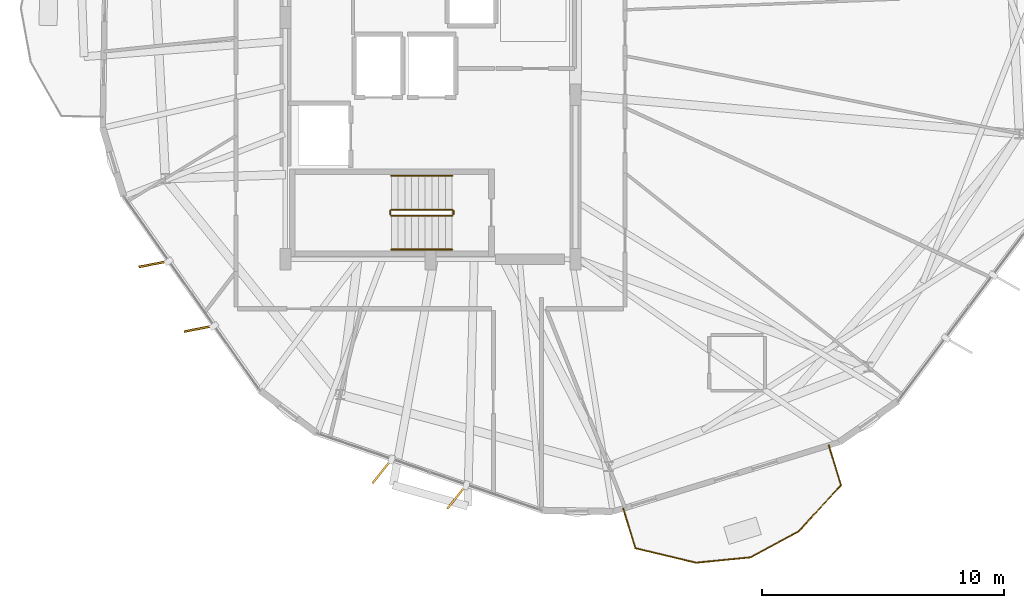
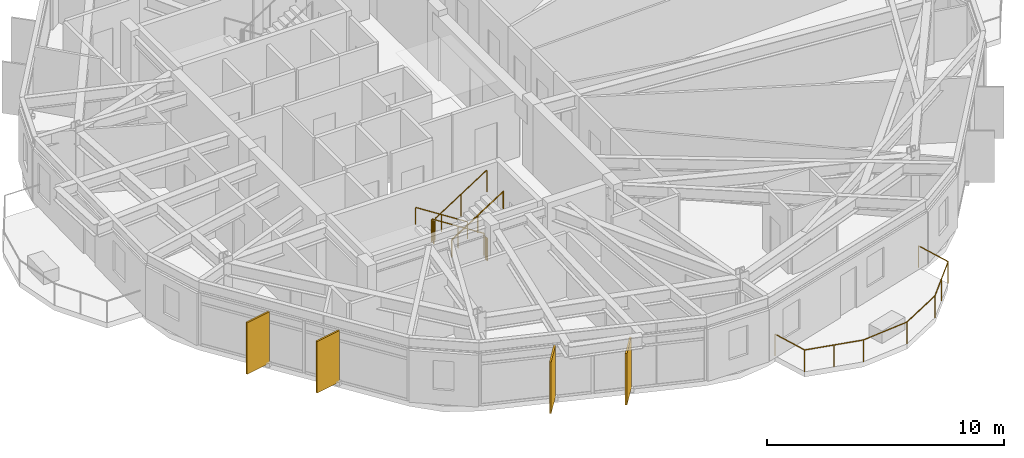
# One storey, part 27 of 29: 7 railings, 4 shading devices.
"""IFC4 building model written with IfcOpenShell, lengths in metres."""

from ifc_helpers import new_model, si_unit, direction, frame, origin, origin_2d, place, context, subcontext, project, spatial, rectangle, circle, extrude, material, layer, layer_set, type_object, element, save


model = new_model("IFC4")

# Units and contexts
model_context = context("Model", 3, precision=1e-05, world=origin(), true_north=direction((0.0, 1.0)))
body_context = subcontext(model_context, "Body", "Model", "MODEL_VIEW")
ifc_project = project(units=[si_unit("LENGTHUNIT", "METRE"), si_unit("AREAUNIT", "SQUARE_METRE"), si_unit("VOLUMEUNIT", "CUBIC_METRE"), si_unit("PLANEANGLEUNIT", "RADIAN"), si_unit("MASSUNIT", "GRAM", prefix="KILO")], contexts=[model_context])

# Site, building, storey
site_placement = place(None, origin())
site = spatial("IfcSite", under=ifc_project, at=site_placement, CompositionType="ELEMENT")
building_placement = place(site_placement, origin())
building = spatial("IfcBuilding", under=site, at=building_placement, Name="Soratama Intermodal Tower", CompositionType="ELEMENT")
storey_placement = place(building_placement, frame((0.0, 0.0, 226.60009765625)))
storey = spatial("IfcBuildingStorey", under=building, at=storey_placement, Name="L57", CompositionType="ELEMENT", Elevation=226.60009765625)

# Railings
ifc_material_1 = material(Name="Laminated glass and stainless steel balustrade", Category="steel")
railing_type_1 = type_object("IfcRailingType", Name="RL-BAL-1150", PredefinedType="BALUSTRADE", material=ifc_material_1)
railing_1_placement = place(storey_placement, frame((55.078369140625, 7.29931640625, 0.0)))
element("IfcRailing", 1, at=railing_1_placement, inside=storey, type_object=railing_type_1, Name="L57 Balcony Balustrade 3", PredefinedType="BALUSTRADE", context=body_context, shape_type="SweptSolid", body=[
    extrude(circle(Radius=0.02392578125, at=origin_2d()), frame((0.0, 0.0, 1.1259765625), z_axis=(0.292968525153, -0.956122085965, 0.0), x_axis=(0.956122085965, 0.292968525153, 0.0)), (0.0, 0.0, 1.0), 1.719970703125),
    extrude(circle(Radius=0.02392578125, at=origin_2d()), frame((0.50390625, -1.64453125, 1.1259765625), z_axis=(-0.674919276383, -0.737891570874, 0.0), x_axis=(0.737891570874, -0.674919276383, 0.0)), (0.0, 0.0, 1.0), 2.58203125),
    extrude(circle(Radius=0.02392578125, at=origin_2d()), frame((-1.23876953125, -3.5498046875, 1.1259765625), z_axis=(-0.8791793033, -0.476491083494, 0.0), x_axis=(0.476491083494, -0.8791793033, 0.0)), (0.0, 0.0, 1.0), 2.269287109375),
    extrude(circle(Radius=0.02392578125, at=origin_2d()), frame((-3.23388671875, -4.631103515625, 1.1259765625), z_axis=(-0.995185203968, -0.098012294142, 0.0), x_axis=(0.098012294142, -0.995185203968, 0.0)), (0.0, 0.0, 1.0), 2.269287109375),
    extrude(circle(Radius=0.02392578125, at=origin_2d()), frame((-5.4921875, -4.853515625, 1.1259765625), z_axis=(-0.972481632757, 0.232979556938, 0.0), x_axis=(-0.232979556938, -0.972481632757, 0.0)), (0.0, 0.0, 1.0), 2.58203125),
    extrude(circle(Radius=0.02392578125, at=origin_2d()), frame((-8.003173828125, -4.251953125, 1.1259765625), z_axis=(-0.292968525153, 0.956122085965, 0.0), x_axis=(-0.956122085965, -0.292968525153, 0.0)), (0.0, 0.0, 1.0), 1.719970703125),
    extrude(circle(Radius=0.02099609375, at=origin_2d()), origin(), (0.0, 0.0, 1.0), 1.101806640625),
    extrude(circle(Radius=0.02099609375, at=origin_2d()), frame((0.50390625, -1.64453125, 0.0)), (0.0, 0.0, 1.0), 1.101806640625),
    extrude(circle(Radius=0.02099609375, at=origin_2d()), frame((-0.367431640625, -2.59716796875, 0.0)), (0.0, 0.0, 1.0), 1.101806640625),
    extrude(circle(Radius=0.02099609375, at=origin_2d()), frame((-1.23876953125, -3.5498046875, 0.0)), (0.0, 0.0, 1.0), 1.101806640625),
    extrude(circle(Radius=0.02099609375, at=origin_2d()), frame((-3.23388671875, -4.631103515625, 0.0)), (0.0, 0.0, 1.0), 1.101806640625),
    extrude(circle(Radius=0.02099609375, at=origin_2d()), frame((-5.4921875, -4.853515625, 0.0)), (0.0, 0.0, 1.0), 1.101806640625),
    extrude(circle(Radius=0.02099609375, at=origin_2d()), frame((-6.74755859375, -4.552734375, 0.0)), (0.0, 0.0, 1.0), 1.101806640625),
    extrude(circle(Radius=0.02099609375, at=origin_2d()), frame((-8.003173828125, -4.251953125, 0.0)), (0.0, 0.0, 1.0), 1.101806640625),
    extrude(circle(Radius=0.02099609375, at=origin_2d()), frame((-8.507080078125, -2.607421875, 0.0)), (0.0, 0.0, 1.0), 1.101806640625),
])
ifc_material_2 = material(Name="Painted steel stair guardrail", Category="steel")
railing_type_2 = type_object("IfcRailingType", Name="RL-STAIR-GUARD", PredefinedType="GUARDRAIL", material=ifc_material_2)
railing_2_placement = place(storey_placement, frame((39.5, 17.050048828125, 0.179931640625)))
element("IfcRailing", 2, at=railing_2_placement, inside=storey, type_object=railing_type_2, Name="L57 ST-1 stair guard 1", PredefinedType="GUARDRAIL", context=body_context, shape_type="SweptSolid", body=[
    extrude(circle(Radius=0.02392578125, at=origin_2d()), frame((0.0, 0.0, 1.1259765625), z_axis=(-0.841199657755, 0.0, 0.540724639528), x_axis=(0.0, -1.0, 0.0)), (0.0, 0.0, 1.0), 2.995849609375),
    extrude(circle(Radius=0.02099609375, at=origin_2d()), origin(), (0.0, 0.0, 1.0), 1.101806640625),
    extrude(circle(Radius=0.02099609375, at=origin_2d()), frame((-1.260009765625, 0.0, 0.81005859375)), (0.0, 0.0, 1.0), 1.101806640625),
    extrude(circle(Radius=0.02099609375, at=origin_2d()), frame((-2.52001953125, 0.0, 1.619873046875)), (0.0, 0.0, 1.0), 1.101806640625),
])
railing_3_placement = place(storey_placement, frame((36.929931640625, 17.0, 1.7998046875)))
element("IfcRailing", 3, at=railing_3_placement, inside=storey, type_object=railing_type_2, Name="L57 ST-1 stair guard 2", PredefinedType="GUARDRAIL", context=body_context, shape_type="SweptSolid", body=[
    extrude(circle(Radius=0.02392578125, at=origin_2d()), frame((0.0, 0.0, 1.1259765625), z_axis=(0.0, -1.0, 0.0), x_axis=(1.0, 0.0, 0.0)), (0.0, 0.0, 1.0), 0.14990234375),
    extrude(circle(Radius=0.02099609375, at=origin_2d()), origin(), (0.0, 0.0, 1.0), 1.101806640625),
    extrude(circle(Radius=0.02099609375, at=origin_2d()), frame((0.0, -0.14990234375, 0.0)), (0.0, 0.0, 1.0), 1.101806640625),
])
railing_4_placement = place(storey_placement, frame((36.97998046875, 16.800048828125, 1.97998046875)))
element("IfcRailing", 4, at=railing_4_placement, inside=storey, type_object=railing_type_2, Name="L57 ST-1 stair guard 3", PredefinedType="GUARDRAIL", context=body_context, shape_type="SweptSolid", body=[
    extrude(circle(Radius=0.02392578125, at=origin_2d()), frame((0.0, 0.0, 1.1259765625), z_axis=(0.841199657755, 0.0, 0.540724639528), x_axis=(0.0, 1.0, 0.0)), (0.0, 0.0, 1.0), 2.995849609375),
    extrude(circle(Radius=0.02099609375, at=origin_2d()), origin(), (0.0, 0.0, 1.0), 1.101806640625),
    extrude(circle(Radius=0.02099609375, at=origin_2d()), frame((1.260009765625, 0.0, 0.81005859375)), (0.0, 0.0, 1.0), 1.101806640625),
    extrude(circle(Radius=0.02099609375, at=origin_2d()), frame((2.52001953125, 0.0, 1.619873046875)), (0.0, 0.0, 1.0), 1.101806640625),
])
railing_5_placement = place(storey_placement, frame((39.550048828125, 17.0, 0.0)))
element("IfcRailing", 5, at=railing_5_placement, inside=storey, type_object=railing_type_2, Name="L57 ST-1 stair guard 4", PredefinedType="GUARDRAIL", context=body_context, shape_type="SweptSolid", body=[
    extrude(circle(Radius=0.02392578125, at=origin_2d()), frame((0.0, 0.0, 1.1259765625), z_axis=(0.0, -1.0, 0.0), x_axis=(1.0, 0.0, 0.0)), (0.0, 0.0, 1.0), 0.14990234375),
    extrude(circle(Radius=0.02099609375, at=origin_2d()), origin(), (0.0, 0.0, 1.0), 1.101806640625),
    extrude(circle(Radius=0.02099609375, at=origin_2d()), frame((0.0, -0.14990234375, 0.0)), (0.0, 0.0, 1.0), 1.101806640625),
])
ifc_material_3 = material(Name="Brushed stainless steel handrail", Category="steel")
railing_type_3 = type_object("IfcRailingType", Name="RL-STAIR-HAND", PredefinedType="HANDRAIL", material=ifc_material_3)
railing_6_placement = place(storey_placement, frame((39.5, 18.449951171875, 0.179931640625)))
element("IfcRailing", 6, at=railing_6_placement, inside=storey, type_object=railing_type_3, Name="L57 ST-1 stair handrail 1", PredefinedType="HANDRAIL", context=body_context, shape_type="SweptSolid", body=[
    extrude(circle(Radius=0.02392578125, at=origin_2d()), frame((0.0, 0.0, 0.8759765625), z_axis=(-0.841199657755, 0.0, 0.540724639528), x_axis=(0.0, -1.0, 0.0)), (0.0, 0.0, 1.0), 2.995849609375),
    extrude(circle(Radius=0.02099609375, at=origin_2d()), origin(), (0.0, 0.0, 1.0), 0.851806640625),
    extrude(circle(Radius=0.02099609375, at=origin_2d()), frame((-1.260009765625, 0.0, 0.81005859375)), (0.0, 0.0, 1.0), 0.851806640625),
    extrude(circle(Radius=0.02099609375, at=origin_2d()), frame((-2.52001953125, 0.0, 1.619873046875)), (0.0, 0.0, 1.0), 0.851806640625),
])
railing_7_placement = place(storey_placement, frame((36.97998046875, 15.39990234375, 1.97998046875)))
element("IfcRailing", 7, at=railing_7_placement, inside=storey, type_object=railing_type_3, Name="L57 ST-1 stair handrail 2", PredefinedType="HANDRAIL", context=body_context, shape_type="SweptSolid", body=[
    extrude(circle(Radius=0.02392578125, at=origin_2d()), frame((0.0, 0.0, 0.8759765625), z_axis=(0.841199657755, 0.0, 0.540724639528), x_axis=(0.0, 1.0, 0.0)), (0.0, 0.0, 1.0), 2.995849609375),
    extrude(circle(Radius=0.02099609375, at=origin_2d()), origin(), (0.0, 0.0, 1.0), 0.851806640625),
    extrude(circle(Radius=0.02099609375, at=origin_2d()), frame((1.260009765625, 0.0, 0.81005859375)), (0.0, 0.0, 1.0), 0.851806640625),
    extrude(circle(Radius=0.02099609375, at=origin_2d()), frame((2.52001953125, 0.0, 1.619873046875)), (0.0, 0.0, 1.0), 0.851806640625),
])

# Shading devices
ifc_material_4 = material(Name="Champagne anodised aluminium solar fin", Category="aluminium")
ifc_layer = layer(ifc_material_4, 0.080078125)
ifc_layer_set = layer_set([ifc_layer], Name="Champagne anodised aluminium solar fin")
shading_device_type = type_object("IfcShadingDeviceType", Name="SH-FIN-1250", PredefinedType="USERDEFINED", material=ifc_layer_set)
for number, where, z_axis, x_axis, name in (
    (8, (27.155029296875, 14.801025390625, 0.02001953125), (0.0, 0.0, 1.0), (-0.981493734433, -0.191494253877, 0.0), "L57 Solar Fin F05-1"),
    (9, (29.030029296875, 12.127197265625, 0.02001953125), (0.0, 0.0, 1.0), (-0.981493734433, -0.191494253877, 0.0), "L57 Solar Fin F05-2"),
    (10, (36.596923828125, 6.226318359375, 0.02001953125), (0.0, 0.0, 1.0), (-0.620874181818, -0.783910231054, 0.0), "L57 Solar Fin F06-1"),
    (11, (39.685546875, 5.165283203125, 0.02001953125), (0.0, 0.0, 1.0), (-0.620874181818, -0.783910231054, 0.0), "L57 Solar Fin F06-2"),
):
    element("IfcShadingDevice", number, at=place(storey_placement, frame(where, z_axis=z_axis, x_axis=x_axis)), inside=storey, type_object=shading_device_type, Name=name, ObjectType="FIN", PredefinedType="USERDEFINED", context=body_context, shape_type="SweptSolid", body=[
        extrude(rectangle(XDim=1.25, YDim=0.080078125, at=origin_2d()), origin(), (0.0, 0.0, 1.0), 2.658935546875),
    ])

save(model, "model.ifc")
